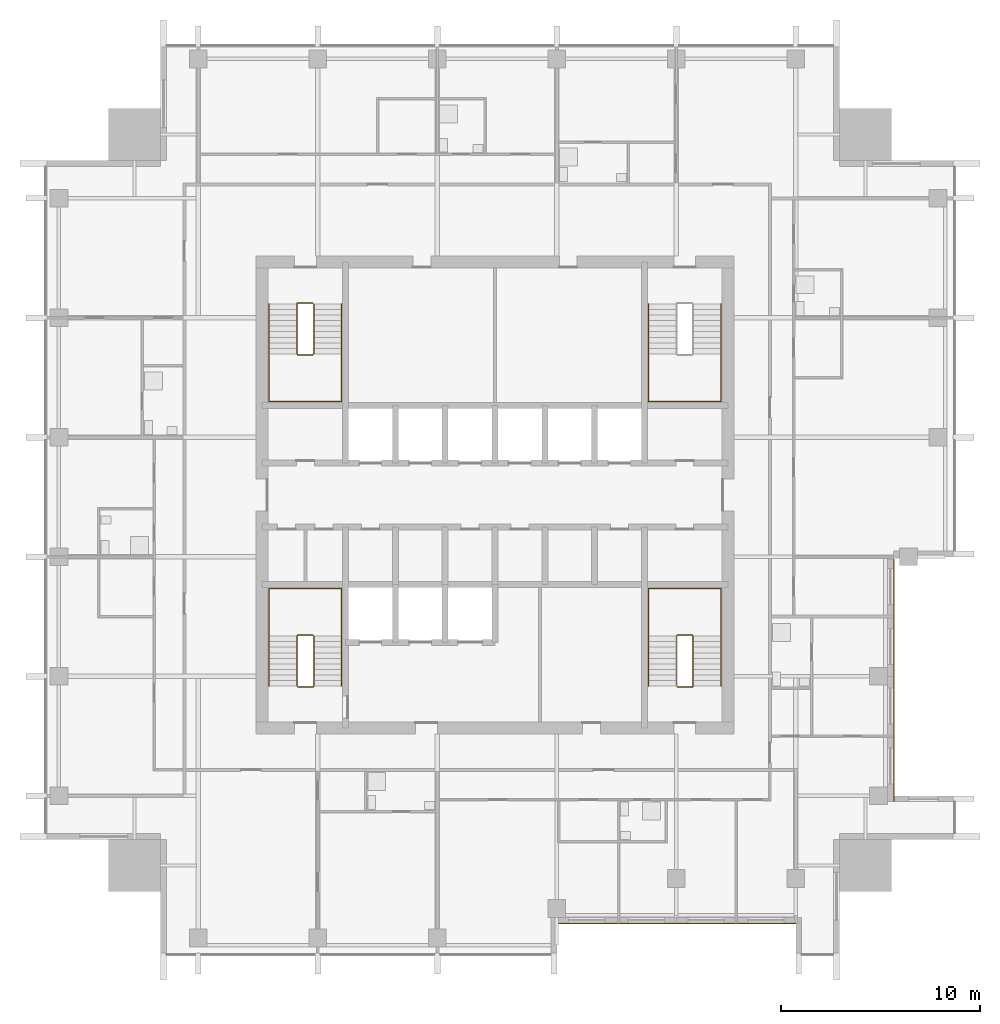
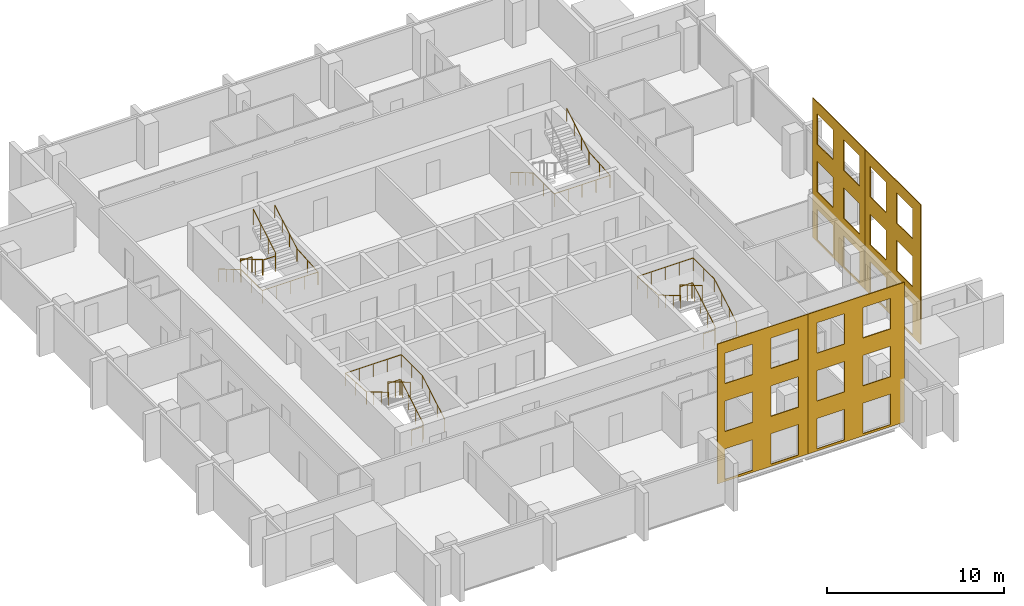
# One storey, part 8 of 10: 7 railings, 4 coverings.
"""IFC4 building model written with IfcOpenShell, lengths in metres."""

import ifcopenshell
import ifcopenshell.guid

model = None  # the IFC model being written
_history = None  # IfcOwnerHistory: only IFC2X3 demands one
_inside = {}  # id of a spatial element -> (the spatial element, [elements in it])
_under = {}  # id of a project, library or spatial element -> (it, [spatial elements below it])
_declared = {}  # id of a project -> (the project, [libraries it declares])
_typed = {}  # id of a type object -> (the type object, [elements of that type])
_made_of = {}  # id of a material, layer set ... -> (it, [elements and type objects made of it])


def new_model(schema):
    """Start an empty IFC model of exactly this schema.

    Asked for "IFC4X3", IfcOpenShell would pick the latest addendum, in which some entities
    have other attributes; the version numbers below select the first issue.
    IFC2X3 requires an IfcOwnerHistory on every rooted entity: one is made here for all.
    """
    global model, _history
    if schema == "IFC4X3":
        model = ifcopenshell.file(schema_version=(4, 3, 0, 0))
    else:
        model = ifcopenshell.file(schema=schema)
    _inside.clear()
    _under.clear()
    _declared.clear()
    _typed.clear()
    _made_of.clear()
    _history = None
    if model.schema == "IFC2X3":
        org = make("IfcOrganization", Name="unknown")
        user = make(
            "IfcPersonAndOrganization",
            ThePerson=make("IfcPerson", FamilyName="unknown"),
            TheOrganization=org,
        )
        app = make(
            "IfcApplication",
            ApplicationDeveloper=org,
            Version="unknown",
            ApplicationFullName="unknown",
            ApplicationIdentifier="unknown",
        )
        _history = make(
            "IfcOwnerHistory",
            OwningUser=user,
            OwningApplication=app,
            ChangeAction="ADDED",
            CreationDate=0,
        )
    return model


def make(cls, **values):
    """One entity of the class cls with the attributes given. An attribute that is None is left unset."""
    return model.create_entity(
        cls, **{name: value for name, value in values.items() if value is not None}
    )


def rooted(cls, **values):
    """An entity with a GlobalId (a new one), such as an element, a storey or a relation."""
    return make(cls, GlobalId=ifcopenshell.guid.new(), OwnerHistory=_history, **values)


def si_unit(unit_type, name, prefix=None):
    """IfcSIUnit, for example si_unit("LENGTHUNIT", "METRE", prefix="MILLI")."""
    return make("IfcSIUnit", UnitType=unit_type, Prefix=prefix, Name=name)


def assignment(units):
    """IfcUnitAssignment: the units of a project."""
    return None if units is None else make("IfcUnitAssignment", Units=units)


def point(xyz):
    """IfcCartesianPoint."""
    return None if xyz is None else make("IfcCartesianPoint", Coordinates=xyz)


def direction(xyz):
    """IfcDirection."""
    return None if xyz is None else make("IfcDirection", DirectionRatios=xyz)


def frame(location, z_axis=None, x_axis=None):
    """IfcAxis2Placement3D, a coordinate frame: its origin and axes. An axis left out is left unset."""
    return make(
        "IfcAxis2Placement3D",
        Location=point(location),
        Axis=direction(z_axis),
        RefDirection=direction(x_axis),
    )


def frame_2d(location, x_axis=None):
    """IfcAxis2Placement2D, a coordinate frame in the plane: its origin and x axis."""
    return make(
        "IfcAxis2Placement2D", Location=point(location), RefDirection=direction(x_axis)
    )


def origin():
    """The frame at (0, 0, 0) with its axes left unset."""
    return frame((0.0, 0.0, 0.0))


def origin_2d():
    """The frame at (0, 0) in the plane with its x axis left unset."""
    return frame_2d((0.0, 0.0))


def place(relative_to, where):
    """IfcLocalPlacement: puts the frame where relative to a parent placement (None: the world)."""
    return make(
        "IfcLocalPlacement", PlacementRelTo=relative_to, RelativePlacement=where
    )


def context(
    kind, dimensions, precision=None, world=None, true_north=None, identifier=None
):
    """IfcGeometricRepresentationContext, for example the 3D "Model" context."""
    return make(
        "IfcGeometricRepresentationContext",
        ContextIdentifier=identifier,
        ContextType=kind,
        CoordinateSpaceDimension=dimensions,
        Precision=precision,
        WorldCoordinateSystem=world,
        TrueNorth=true_north,
    )


def subcontext(parent, identifier, kind, view, scale=None):
    """IfcGeometricRepresentationSubContext, for example "Body" below "Model"."""
    return make(
        "IfcGeometricRepresentationSubContext",
        ContextIdentifier=identifier,
        ContextType=kind,
        ParentContext=parent,
        TargetScale=scale,
        TargetView=view,
    )


def project(units=None, contexts=None):
    """IfcProject with its units and contexts."""
    return rooted(
        "IfcProject",
        Name="project",
        RepresentationContexts=contexts,
        UnitsInContext=assignment(units),
    )


def spatial(cls, under=None, at=None, **own):
    """A site, building, storey or space (cls), placed at a placement, below another one or the project."""
    s = rooted(cls, ObjectPlacement=at, **own)
    if under is not None:
        _under.setdefault(under.id(), (under, []))[1].append(s)
    return s


def polyline(points):
    """IfcPolyline through the points."""
    return make("IfcPolyline", Points=[point(p) for p in points])


def profile(cls, at=None, kind="AREA", **sizes):
    """A parametric profile (cls). Its sizes go by their IFC names, for example OverallWidth=200.0."""
    return make(cls, ProfileType=kind, Position=at, **sizes)


def circle(**sizes):
    """IfcCircleProfileDef."""
    return profile("IfcCircleProfileDef", **sizes)


def outline(outer, holes=None, kind="AREA"):
    """IfcArbitraryClosedProfileDef: a profile drawn as a closed curve; with holes, ...WithVoids."""
    if holes is None:
        return make("IfcArbitraryClosedProfileDef", ProfileType=kind, OuterCurve=outer)
    return make(
        "IfcArbitraryProfileDefWithVoids",
        ProfileType=kind,
        OuterCurve=outer,
        InnerCurves=holes,
    )


def extrude(swept, where, along, depth):
    """IfcExtrudedAreaSolid: the profile swept, set in the frame where, extruded along a direction by depth."""
    return make(
        "IfcExtrudedAreaSolid",
        SweptArea=swept,
        Position=where,
        ExtrudedDirection=direction(along),
        Depth=depth,
    )


def shape(context_of_items, identifier, shape_type, items):
    """IfcShapeRepresentation: the items that make up one representation, for example the "Body"."""
    return make(
        "IfcShapeRepresentation",
        ContextOfItems=context_of_items,
        RepresentationIdentifier=identifier,
        RepresentationType=shape_type,
        Items=items,
    )


def material(Name=None, Category=None):
    """IfcMaterial."""
    return make("IfcMaterial", Name=Name, Category=Category)


def layer(
    of_material, thickness, ventilated=None, Name=None, Category=None, Priority=None
):
    """IfcMaterialLayer: one layer of a wall or slab, of a material (None: an air gap)."""
    return make(
        "IfcMaterialLayer",
        Material=of_material,
        LayerThickness=thickness,
        IsVentilated=ventilated,
        Name=Name,
        Category=Category,
        Priority=Priority,
    )


def layer_set(layers, Name=None):
    """IfcMaterialLayerSet."""
    return make("IfcMaterialLayerSet", MaterialLayers=layers, LayerSetName=Name)


def made_of(thing, what):
    """Note that an element or type object is made of a material, layer set ...; save() writes the relation."""
    if what is not None:
        _made_of.setdefault(what.id(), (what, []))[1].append(thing)
    return thing


def type_object(cls, material=None, **own):
    """A type object (cls), such as IfcWallType, which elements share."""
    return made_of(rooted(cls, **own), material)


def element(
    cls,
    number,
    at=None,
    inside=None,
    cuts=None,
    type_object=None,
    material=None,
    context=None,
    identifier="Body",
    shape_type=None,
    held_by="IfcProductDefinitionShape",
    body=None,
    shapes=None,
    **own,
):
    """One element of the class cls, such as IfcWall. Its Tag is "e" and its number.

    at: its placement. inside: the storey or other place that contains it. cuts: it is an
    opening in that element (IfcRelVoidsElement). A single representation is given by context,
    identifier, shape_type and body (its items); several are given by shapes. held_by: the class
    of the entity that holds the representations. save() writes the other relations.
    """
    e = rooted(cls, Tag="e%d" % number, ObjectPlacement=at, **own)
    if body is not None:
        shapes = [shape(context, identifier, shape_type, body)]
    if shapes is not None:
        e.Representation = make(held_by, Representations=shapes)
    if inside is not None:
        _inside.setdefault(inside.id(), (inside, []))[1].append(e)
    if cuts is not None:
        rooted(
            "IfcRelVoidsElement", RelatingBuildingElement=cuts, RelatedOpeningElement=e
        )
    if type_object is not None:
        _typed.setdefault(type_object.id(), (type_object, []))[1].append(e)
    return made_of(e, material)


def aggregate(whole, parts):
    """IfcRelAggregates: a whole, such as a stair, and the parts it consists of."""
    return rooted("IfcRelAggregates", RelatingObject=whole, RelatedObjects=parts)


def save(model, path):
    """Write the relations noted so far, then the file.

    IfcRelAggregates (storeys below a building ...), IfcRelContainedInSpatialStructure (elements
    in a storey), IfcRelDefinesByType, IfcRelAssociatesMaterial and IfcRelDeclares: one each for
    every whole, place, type object, material and project.
    """
    for whole, parts in _under.values():
        aggregate(whole, parts)
    for where, things in _inside.values():
        rooted(
            "IfcRelContainedInSpatialStructure",
            RelatedElements=things,
            RelatingStructure=where,
        )
    for kind, things in _typed.values():
        rooted("IfcRelDefinesByType", RelatedObjects=things, RelatingType=kind)
    for what, things in _made_of.values():
        rooted("IfcRelAssociatesMaterial", RelatedObjects=things, RelatingMaterial=what)
    for by, libraries in _declared.values():
        rooted("IfcRelDeclares", RelatingContext=by, RelatedDefinitions=libraries)
    model.write(path)


model = new_model("IFC4")

# Units and contexts
model_context = context("Model", 3, precision=1e-05, world=origin(), true_north=direction((0.0, 1.0)))
body_context = subcontext(model_context, "Body", "Model", "MODEL_VIEW")
ifc_project = project(units=[si_unit("LENGTHUNIT", "METRE"), si_unit("AREAUNIT", "SQUARE_METRE"), si_unit("VOLUMEUNIT", "CUBIC_METRE"), si_unit("PLANEANGLEUNIT", "RADIAN"), si_unit("MASSUNIT", "GRAM", prefix="KILO")], contexts=[model_context])

# Site, building, storey
site_placement = place(None, origin())
site = spatial("IfcSite", under=ifc_project, at=site_placement, CompositionType="ELEMENT")
building_placement = place(site_placement, origin())
building = spatial("IfcBuilding", under=site, at=building_placement, Name="Amberfall Residences", CompositionType="ELEMENT")
storey_placement = place(building_placement, frame((0.0, 0.0, 206.800048828125)))
storey = spatial("IfcBuildingStorey", under=building, at=storey_placement, Name="L55", CompositionType="ELEMENT", Elevation=206.800048828125)

# Coverings
ifc_material_1 = material(Name="Pale limestone cladding", Category="masonry")
ifc_layer = layer(ifc_material_1, 0.050048828125)
ifc_layer_set = layer_set([ifc_layer], Name="Limestone fascia 50")
covering_type = type_object("IfcCoveringType", Name="Limestone fascia 50", PredefinedType="CLADDING", material=ifc_layer_set)
covering_1_placement = place(storey_placement, frame((83.60009765625, 24.0, 9.64990234375), z_axis=(0.0, 1.0, 0.0), x_axis=(1.0, 0.0, 0.0)))
element("IfcCovering", 1, at=covering_1_placement, inside=storey, type_object=covering_type, Name="Pale limestone cladding L55-L57 S", PredefinedType="CLADDING", context=body_context, shape_type="SweptSolid", body=[
    extrude(outline(polyline([(0.0, 0.0), (6.2998046875, 0.0), (6.2998046875, 9.64990234375), (0.0, 9.64990234375), (0.0, 0.0)]), holes=[polyline([(0.599853515625, 7.39990234375), (2.39990234375, 7.39990234375), (2.39990234375, 9.5), (0.599853515625, 9.5), (0.599853515625, 7.39990234375)]), polyline([(3.599853515625, 7.39990234375), (5.39990234375, 7.39990234375), (5.39990234375, 9.5), (3.599853515625, 9.5), (3.599853515625, 7.39990234375)]), polyline([(0.599853515625, 4.099853515625), (2.39990234375, 4.099853515625), (2.39990234375, 6.199951171875), (0.599853515625, 6.199951171875), (0.599853515625, 4.099853515625)]), polyline([(3.599853515625, 4.099853515625), (5.39990234375, 4.099853515625), (5.39990234375, 6.199951171875), (3.599853515625, 6.199951171875), (3.599853515625, 4.099853515625)]), polyline([(0.599853515625, 0.800048828125), (2.39990234375, 0.800048828125), (2.39990234375, 2.89990234375), (0.599853515625, 2.89990234375), (0.599853515625, 0.800048828125)]), polyline([(3.599853515625, 0.800048828125), (5.39990234375, 0.800048828125), (5.39990234375, 2.89990234375), (3.599853515625, 2.89990234375), (3.599853515625, 0.800048828125)])]), origin(), (0.0, 0.0, -1.0), 0.050048828125),
])
covering_2_placement = place(storey_placement, frame((94.5, 36.39990234375, 9.64990234375), z_axis=(-1.0, 0.0, 0.0), x_axis=(0.0, 1.0, 0.0)))
element("IfcCovering", 2, at=covering_2_placement, inside=storey, type_object=covering_type, Name="Pale limestone cladding L55-L57 E", PredefinedType="CLADDING", context=body_context, shape_type="SweptSolid", body=[
    extrude(outline(polyline([(0.0, 0.0), (5.900146484375, 0.0), (5.900146484375, 9.64990234375), (0.0, 9.64990234375), (0.0, 0.0)]), holes=[polyline([(0.60009765625, 7.39990234375), (2.400146484375, 7.39990234375), (2.400146484375, 9.5), (0.60009765625, 9.5), (0.60009765625, 7.39990234375)]), polyline([(3.60009765625, 7.39990234375), (5.400146484375, 7.39990234375), (5.400146484375, 9.5), (3.60009765625, 9.5), (3.60009765625, 7.39990234375)]), polyline([(0.60009765625, 4.099853515625), (2.400146484375, 4.099853515625), (2.400146484375, 6.199951171875), (0.60009765625, 6.199951171875), (0.60009765625, 4.099853515625)]), polyline([(3.60009765625, 4.099853515625), (5.400146484375, 4.099853515625), (5.400146484375, 6.199951171875), (3.60009765625, 6.199951171875), (3.60009765625, 4.099853515625)]), polyline([(0.60009765625, 0.800048828125), (2.400146484375, 0.800048828125), (2.400146484375, 2.89990234375), (0.60009765625, 2.89990234375), (0.60009765625, 0.800048828125)]), polyline([(3.60009765625, 0.800048828125), (5.400146484375, 0.800048828125), (5.400146484375, 2.89990234375), (3.60009765625, 2.89990234375), (3.60009765625, 0.800048828125)])]), origin(), (0.0, 0.0, -1.0), 0.050048828125),
])
covering_3_placement = place(storey_placement, frame((77.68994140625, 24.0, 9.64990234375), z_axis=(0.0, 1.0, 0.0), x_axis=(1.0, 0.0, 0.0)))
element("IfcCovering", 3, at=covering_3_placement, inside=storey, type_object=covering_type, Name="Pale limestone cladding L55-L57 S", PredefinedType="CLADDING", context=body_context, shape_type="SweptSolid", body=[
    extrude(outline(polyline([(0.0, 0.0), (5.91015625, 0.0), (5.91015625, 9.64990234375), (0.0, 9.64990234375), (0.0, 0.0)]), holes=[polyline([(0.510009765625, 7.39990234375), (2.31005859375, 7.39990234375), (2.31005859375, 9.5), (0.510009765625, 9.5), (0.510009765625, 7.39990234375)]), polyline([(3.510009765625, 7.39990234375), (5.31005859375, 7.39990234375), (5.31005859375, 9.5), (3.510009765625, 9.5), (3.510009765625, 7.39990234375)]), polyline([(0.510009765625, 4.099853515625), (2.31005859375, 4.099853515625), (2.31005859375, 6.199951171875), (0.510009765625, 6.199951171875), (0.510009765625, 4.099853515625)]), polyline([(3.510009765625, 4.099853515625), (5.31005859375, 4.099853515625), (5.31005859375, 6.199951171875), (3.510009765625, 6.199951171875), (3.510009765625, 4.099853515625)]), polyline([(0.510009765625, 0.800048828125), (2.31005859375, 0.800048828125), (2.31005859375, 2.89990234375), (0.510009765625, 2.89990234375), (0.510009765625, 0.800048828125)]), polyline([(3.510009765625, 0.800048828125), (5.31005859375, 0.800048828125), (5.31005859375, 2.89990234375), (3.510009765625, 2.89990234375), (3.510009765625, 0.800048828125)])]), origin(), (0.0, 0.0, -1.0), 0.050048828125),
])
covering_4_placement = place(storey_placement, frame((94.5, 30.10009765625, 9.64990234375), z_axis=(-1.0, 0.0, 0.0), x_axis=(0.0, 1.0, 0.0)))
element("IfcCovering", 4, at=covering_4_placement, inside=storey, type_object=covering_type, Name="Pale limestone cladding L55-L57 E", PredefinedType="CLADDING", context=body_context, shape_type="SweptSolid", body=[
    extrude(outline(polyline([(0.0, 0.0), (6.2998046875, 0.0), (6.2998046875, 9.64990234375), (0.0, 9.64990234375), (0.0, 0.0)]), holes=[polyline([(0.89990234375, 7.39990234375), (2.699951171875, 7.39990234375), (2.699951171875, 9.5), (0.89990234375, 9.5), (0.89990234375, 7.39990234375)]), polyline([(3.89990234375, 7.39990234375), (5.699951171875, 7.39990234375), (5.699951171875, 9.5), (3.89990234375, 9.5), (3.89990234375, 7.39990234375)]), polyline([(0.89990234375, 4.099853515625), (2.699951171875, 4.099853515625), (2.699951171875, 6.199951171875), (0.89990234375, 6.199951171875), (0.89990234375, 4.099853515625)]), polyline([(3.89990234375, 4.099853515625), (5.699951171875, 4.099853515625), (5.699951171875, 6.199951171875), (3.89990234375, 6.199951171875), (3.89990234375, 4.099853515625)]), polyline([(0.89990234375, 0.800048828125), (2.699951171875, 0.800048828125), (2.699951171875, 2.89990234375), (0.89990234375, 2.89990234375), (0.89990234375, 0.800048828125)]), polyline([(3.89990234375, 0.800048828125), (5.699951171875, 0.800048828125), (5.699951171875, 2.89990234375), (3.89990234375, 2.89990234375), (3.89990234375, 0.800048828125)])]), origin(), (0.0, 0.0, -1.0), 0.050048828125),
])

# Railings
ifc_material_2 = material(Name="Stainless steel 316", Category="steel")
railing_type_1 = type_object("IfcRailingType", Name="Stair guard 1100", PredefinedType="GUARDRAIL", material=ifc_material_2)
railing_1_placement = place(storey_placement, frame((64.60009765625, 35.85009765625, 0.0)))
element("IfcRailing", 5, at=railing_1_placement, inside=storey, type_object=railing_type_1, Name="L55 stair 1 guard", PredefinedType="GUARDRAIL", context=body_context, shape_type="SweptSolid", body=[
    extrude(circle(Radius=0.02392578125, at=origin_2d()), frame((0.0, 0.0, 1.076171875), z_axis=(1.0, 0.0, 0.0), x_axis=(0.0, 1.0, 0.0)), (0.0, 0.0, 1.0), 0.75),
    extrude(circle(Radius=0.02392578125, at=origin_2d()), frame((0.75, 0.0, 1.076171875), z_axis=(0.27755538755, 0.27755538755, 0.919742362667), x_axis=(-0.707106781187, 0.707106781187, 0.0)), (0.0, 0.0, 1.0), 0.179443359375),
    extrude(circle(Radius=0.02392578125, at=origin_2d()), frame((0.7998046875, 0.0498046875, 1.2412109375), z_axis=(0.0, 0.861560626758, 0.507654692109), x_axis=(-1.0, 0.0, 0.0)), (0.0, 0.0, 1.0), 2.925048828125),
    extrude(circle(Radius=0.02392578125, at=origin_2d()), frame((0.7998046875, 2.56982421875, 2.72607421875), z_axis=(-0.705375805398, 0.708833529934, 0.0), x_axis=(-0.708833529934, -0.705375805398, 0.0)), (0.0, 0.0, 1.0), 0.070556640625),
    extrude(circle(Radius=0.02392578125, at=origin_2d()), frame((0.75, 2.619873046875, 2.72607421875), z_axis=(-1.0, 0.0, 0.0), x_axis=(0.0, -1.0, 0.0)), (0.0, 0.0, 1.0), 0.75),
    extrude(circle(Radius=0.02392578125, at=origin_2d()), frame((0.0, 2.619873046875, 2.72607421875), z_axis=(-0.278705021027, -0.278705021027, 0.919046801044), x_axis=(0.707106781187, -0.707106781187, 0.0)), (0.0, 0.0, 1.0), 0.1796875),
    extrude(circle(Radius=0.02392578125, at=origin_2d()), frame((-0.050048828125, 2.56982421875, 2.89111328125), z_axis=(0.0, -0.86152411907, 0.507716645641), x_axis=(1.0, 0.0, 0.0)), (0.0, 0.0, 1.0), 2.925048828125),
    extrude(circle(Radius=0.02099609375, at=origin_2d()), origin(), (0.0, 0.0, 1.0), 1.052001953125),
    extrude(circle(Radius=0.02099609375, at=origin_2d()), frame((0.75, 0.0, 0.0)), (0.0, 0.0, 1.0), 1.052001953125),
    extrude(circle(Radius=0.02099609375, at=origin_2d()), frame((0.7998046875, 0.0498046875, 0.1650390625)), (0.0, 0.0, 1.0), 1.052001953125),
    extrude(circle(Radius=0.02099609375, at=origin_2d()), frame((0.7998046875, 0.889892578125, 0.659912109375)), (0.0, 0.0, 1.0), 1.052001953125),
    extrude(circle(Radius=0.02099609375, at=origin_2d()), frame((0.7998046875, 1.729736328125, 1.155029296875)), (0.0, 0.0, 1.0), 1.052001953125),
    extrude(circle(Radius=0.02099609375, at=origin_2d()), frame((0.7998046875, 2.56982421875, 1.64990234375)), (0.0, 0.0, 1.0), 1.052001953125),
    extrude(circle(Radius=0.02099609375, at=origin_2d()), frame((0.75, 2.619873046875, 1.64990234375)), (0.0, 0.0, 1.0), 1.052001953125),
    extrude(circle(Radius=0.02099609375, at=origin_2d()), frame((0.0, 2.619873046875, 1.64990234375)), (0.0, 0.0, 1.0), 1.052001953125),
    extrude(circle(Radius=0.02099609375, at=origin_2d()), frame((-0.050048828125, 2.56982421875, 1.81494140625)), (0.0, 0.0, 1.0), 1.052001953125),
    extrude(circle(Radius=0.02099609375, at=origin_2d()), frame((-0.050048828125, 1.729736328125, 2.31005859375)), (0.0, 0.0, 1.0), 1.052001953125),
    extrude(circle(Radius=0.02099609375, at=origin_2d()), frame((-0.050048828125, 0.889892578125, 2.804931640625)), (0.0, 0.0, 1.0), 1.052001953125),
    extrude(circle(Radius=0.02099609375, at=origin_2d()), frame((-0.050048828125, 0.0498046875, 3.300048828125)), (0.0, 0.0, 1.0), 1.052001953125),
])
railing_2_placement = place(storey_placement, frame((83.64990234375, 35.85009765625, 0.0)))
element("IfcRailing", 6, at=railing_2_placement, inside=storey, type_object=railing_type_1, Name="L55 stair 2 guard", PredefinedType="GUARDRAIL", context=body_context, shape_type="SweptSolid", body=[
    extrude(circle(Radius=0.02392578125, at=origin_2d()), frame((0.0, 0.0, 1.076171875), z_axis=(1.0, 0.0, 0.0), x_axis=(0.0, 1.0, 0.0)), (0.0, 0.0, 1.0), 0.75),
    extrude(circle(Radius=0.02392578125, at=origin_2d()), frame((0.75, 0.0, 1.076171875), z_axis=(0.278810427259, 0.277450376394, 0.919394384522), x_axis=(-0.705375805398, 0.708833529934, 0.0)), (0.0, 0.0, 1.0), 0.179443359375),
    extrude(circle(Radius=0.02392578125, at=origin_2d()), frame((0.800048828125, 0.0498046875, 1.2412109375), z_axis=(0.0, 0.861560626758, 0.507654692109), x_axis=(-1.0, 0.0, 0.0)), (0.0, 0.0, 1.0), 2.925048828125),
    extrude(circle(Radius=0.02392578125, at=origin_2d()), frame((0.800048828125, 2.56982421875, 2.72607421875), z_axis=(-0.707106781187, 0.707106781187, 0.0), x_axis=(-0.707106781187, -0.707106781187, 0.0)), (0.0, 0.0, 1.0), 0.07080078125),
    extrude(circle(Radius=0.02392578125, at=origin_2d()), frame((0.75, 2.619873046875, 2.72607421875), z_axis=(-1.0, 0.0, 0.0), x_axis=(0.0, -1.0, 0.0)), (0.0, 0.0, 1.0), 0.75),
    extrude(circle(Radius=0.02392578125, at=origin_2d()), frame((0.0, 2.619873046875, 2.72607421875), z_axis=(-0.277450376394, -0.278810427259, 0.919394384522), x_axis=(0.708833529934, -0.705375805398, 0.0)), (0.0, 0.0, 1.0), 0.179443359375),
    extrude(circle(Radius=0.02392578125, at=origin_2d()), frame((-0.0498046875, 2.56982421875, 2.89111328125), z_axis=(0.0, -0.86152411907, 0.507716645641), x_axis=(1.0, 0.0, 0.0)), (0.0, 0.0, 1.0), 2.925048828125),
    extrude(circle(Radius=0.02099609375, at=origin_2d()), origin(), (0.0, 0.0, 1.0), 1.052001953125),
    extrude(circle(Radius=0.02099609375, at=origin_2d()), frame((0.75, 0.0, 0.0)), (0.0, 0.0, 1.0), 1.052001953125),
    extrude(circle(Radius=0.02099609375, at=origin_2d()), frame((0.800048828125, 0.0498046875, 0.1650390625)), (0.0, 0.0, 1.0), 1.052001953125),
    extrude(circle(Radius=0.02099609375, at=origin_2d()), frame((0.800048828125, 0.889892578125, 0.659912109375)), (0.0, 0.0, 1.0), 1.052001953125),
    extrude(circle(Radius=0.02099609375, at=origin_2d()), frame((0.800048828125, 1.729736328125, 1.155029296875)), (0.0, 0.0, 1.0), 1.052001953125),
    extrude(circle(Radius=0.02099609375, at=origin_2d()), frame((0.800048828125, 2.56982421875, 1.64990234375)), (0.0, 0.0, 1.0), 1.052001953125),
    extrude(circle(Radius=0.02099609375, at=origin_2d()), frame((0.75, 2.619873046875, 1.64990234375)), (0.0, 0.0, 1.0), 1.052001953125),
    extrude(circle(Radius=0.02099609375, at=origin_2d()), frame((0.0, 2.619873046875, 1.64990234375)), (0.0, 0.0, 1.0), 1.052001953125),
    extrude(circle(Radius=0.02099609375, at=origin_2d()), frame((-0.0498046875, 2.56982421875, 1.81494140625)), (0.0, 0.0, 1.0), 1.052001953125),
    extrude(circle(Radius=0.02099609375, at=origin_2d()), frame((-0.0498046875, 1.729736328125, 2.31005859375)), (0.0, 0.0, 1.0), 1.052001953125),
    extrude(circle(Radius=0.02099609375, at=origin_2d()), frame((-0.0498046875, 0.889892578125, 2.804931640625)), (0.0, 0.0, 1.0), 1.052001953125),
    extrude(circle(Radius=0.02099609375, at=origin_2d()), frame((-0.0498046875, 0.0498046875, 3.300048828125)), (0.0, 0.0, 1.0), 1.052001953125),
])
railing_3_placement = place(storey_placement, frame((65.35009765625, 55.14990234375, 0.0)))
element("IfcRailing", 7, at=railing_3_placement, inside=storey, type_object=railing_type_1, Name="L55 stair 4 guard", PredefinedType="GUARDRAIL", context=body_context, shape_type="SweptSolid", body=[
    extrude(circle(Radius=0.02392578125, at=origin_2d()), frame((0.0, 0.0, 1.076171875), z_axis=(-1.0, 0.0, 0.0), x_axis=(0.0, -1.0, 0.0)), (0.0, 0.0, 1.0), 0.75),
    extrude(circle(Radius=0.02392578125, at=origin_2d()), frame((-0.75, 0.0, 1.076171875), z_axis=(-0.278810427259, -0.277450376394, 0.919394384522), x_axis=(0.705375805398, -0.708833529934, 0.0)), (0.0, 0.0, 1.0), 0.179443359375),
    extrude(circle(Radius=0.02392578125, at=origin_2d()), frame((-0.800048828125, -0.0498046875, 1.2412109375), z_axis=(0.0, -0.861560626758, 0.507654692109), x_axis=(1.0, 0.0, 0.0)), (0.0, 0.0, 1.0), 2.925048828125),
    extrude(circle(Radius=0.02392578125, at=origin_2d()), frame((-0.800048828125, -2.56982421875, 2.72607421875), z_axis=(0.707106781187, -0.707106781187, 0.0), x_axis=(0.707106781187, 0.707106781187, 0.0)), (0.0, 0.0, 1.0), 0.07080078125),
    extrude(circle(Radius=0.02392578125, at=origin_2d()), frame((-0.75, -2.619873046875, 2.72607421875), z_axis=(1.0, 0.0, 0.0), x_axis=(0.0, 1.0, 0.0)), (0.0, 0.0, 1.0), 0.75),
    extrude(circle(Radius=0.02392578125, at=origin_2d()), frame((0.0, -2.619873046875, 2.72607421875), z_axis=(0.277450376394, 0.278810427259, 0.919394384522), x_axis=(-0.708833529934, 0.705375805398, 0.0)), (0.0, 0.0, 1.0), 0.179443359375),
    extrude(circle(Radius=0.02392578125, at=origin_2d()), frame((0.0498046875, -2.56982421875, 2.89111328125), z_axis=(0.0, 0.86152411907, 0.507716645641), x_axis=(-1.0, 0.0, 0.0)), (0.0, 0.0, 1.0), 2.925048828125),
    extrude(circle(Radius=0.02099609375, at=origin_2d()), origin(), (0.0, 0.0, 1.0), 1.052001953125),
    extrude(circle(Radius=0.02099609375, at=origin_2d()), frame((-0.75, 0.0, 0.0)), (0.0, 0.0, 1.0), 1.052001953125),
    extrude(circle(Radius=0.02099609375, at=origin_2d()), frame((-0.800048828125, -0.0498046875, 0.1650390625)), (0.0, 0.0, 1.0), 1.052001953125),
    extrude(circle(Radius=0.02099609375, at=origin_2d()), frame((-0.800048828125, -0.889892578125, 0.659912109375)), (0.0, 0.0, 1.0), 1.052001953125),
    extrude(circle(Radius=0.02099609375, at=origin_2d()), frame((-0.800048828125, -1.729736328125, 1.155029296875)), (0.0, 0.0, 1.0), 1.052001953125),
    extrude(circle(Radius=0.02099609375, at=origin_2d()), frame((-0.800048828125, -2.56982421875, 1.64990234375)), (0.0, 0.0, 1.0), 1.052001953125),
    extrude(circle(Radius=0.02099609375, at=origin_2d()), frame((-0.75, -2.619873046875, 1.64990234375)), (0.0, 0.0, 1.0), 1.052001953125),
    extrude(circle(Radius=0.02099609375, at=origin_2d()), frame((0.0, -2.619873046875, 1.64990234375)), (0.0, 0.0, 1.0), 1.052001953125),
    extrude(circle(Radius=0.02099609375, at=origin_2d()), frame((0.0498046875, -2.56982421875, 1.81494140625)), (0.0, 0.0, 1.0), 1.052001953125),
    extrude(circle(Radius=0.02099609375, at=origin_2d()), frame((0.0498046875, -1.729736328125, 2.31005859375)), (0.0, 0.0, 1.0), 1.052001953125),
    extrude(circle(Radius=0.02099609375, at=origin_2d()), frame((0.0498046875, -0.889892578125, 2.804931640625)), (0.0, 0.0, 1.0), 1.052001953125),
    extrude(circle(Radius=0.02099609375, at=origin_2d()), frame((0.0498046875, -0.0498046875, 3.300048828125)), (0.0, 0.0, 1.0), 1.052001953125),
])
railing_type_2 = type_object("IfcRailingType", Name="Stair handrail 900", PredefinedType="HANDRAIL", material=ifc_material_2)
railing_4_placement = place(storey_placement, frame((66.800048828125, 35.89990234375, 0.1650390625)))
element("IfcRailing", 8, at=railing_4_placement, inside=storey, type_object=railing_type_2, Name="L55 stair 1 handrail", PredefinedType="HANDRAIL", context=body_context, shape_type="SweptSolid", body=[
    extrude(circle(Radius=0.02392578125, at=origin_2d()), frame((0.0, 0.0, 0.8759765625), z_axis=(0.0, 0.861560626758, 0.507654692109), x_axis=(-1.0, 0.0, 0.0)), (0.0, 0.0, 1.0), 2.925048828125),
    extrude(circle(Radius=0.02392578125, at=origin_2d()), frame((0.0, 2.52001953125, 2.36083984375), z_axis=(0.0, 1.0, 0.0), x_axis=(-1.0, 0.0, 0.0)), (0.0, 0.0, 1.0), 2.380126953125),
    extrude(circle(Radius=0.02392578125, at=origin_2d()), frame((0.0, 4.900146484375, 2.36083984375), z_axis=(-1.0, 0.0, 0.0), x_axis=(0.0, -1.0, 0.0)), (0.0, 0.0, 1.0), 3.650146484375),
    extrude(circle(Radius=0.02392578125, at=origin_2d()), frame((-3.650146484375, 4.900146484375, 2.36083984375), z_axis=(0.0, -0.997604585917, 0.069174346095), x_axis=(1.0, 0.0, 0.0)), (0.0, 0.0, 1.0), 2.3857421875),
    extrude(circle(Radius=0.02392578125, at=origin_2d()), frame((-3.650146484375, 2.52001953125, 2.52587890625), z_axis=(0.0, -0.86152411907, 0.507716645641), x_axis=(1.0, 0.0, 0.0)), (0.0, 0.0, 1.0), 2.925048828125),
    extrude(circle(Radius=0.02099609375, at=origin_2d()), origin(), (0.0, 0.0, 1.0), 0.851806640625),
    extrude(circle(Radius=0.02099609375, at=origin_2d()), frame((0.0, 0.840087890625, 0.494873046875)), (0.0, 0.0, 1.0), 0.851806640625),
    extrude(circle(Radius=0.02099609375, at=origin_2d()), frame((0.0, 1.679931640625, 0.989990234375)), (0.0, 0.0, 1.0), 0.851806640625),
    extrude(circle(Radius=0.02099609375, at=origin_2d()), frame((0.0, 2.52001953125, 1.48486328125)), (0.0, 0.0, 1.0), 0.851806640625),
    extrude(circle(Radius=0.02099609375, at=origin_2d()), frame((0.0, 3.7099609375, 1.48486328125)), (0.0, 0.0, 1.0), 0.851806640625),
    extrude(circle(Radius=0.02099609375, at=origin_2d()), frame((0.0, 4.900146484375, 1.48486328125)), (0.0, 0.0, 1.0), 0.851806640625),
    extrude(circle(Radius=0.02099609375, at=origin_2d()), frame((-0.91259765625, 4.900146484375, 1.48486328125)), (0.0, 0.0, 1.0), 0.851806640625),
    extrude(circle(Radius=0.02099609375, at=origin_2d()), frame((-1.8251953125, 4.900146484375, 1.48486328125)), (0.0, 0.0, 1.0), 0.851806640625),
    extrude(circle(Radius=0.02099609375, at=origin_2d()), frame((-2.737548828125, 4.900146484375, 1.48486328125)), (0.0, 0.0, 1.0), 0.851806640625),
    extrude(circle(Radius=0.02099609375, at=origin_2d()), frame((-3.650146484375, 4.900146484375, 1.48486328125)), (0.0, 0.0, 1.0), 0.851806640625),
    extrude(circle(Radius=0.02099609375, at=origin_2d()), frame((-3.650146484375, 3.7099609375, 1.5673828125)), (0.0, 0.0, 1.0), 0.851806640625),
    extrude(circle(Radius=0.02099609375, at=origin_2d()), frame((-3.650146484375, 2.52001953125, 1.64990234375)), (0.0, 0.0, 1.0), 0.851806640625),
    extrude(circle(Radius=0.02099609375, at=origin_2d()), frame((-3.650146484375, 1.679931640625, 2.14501953125)), (0.0, 0.0, 1.0), 0.851806640625),
    extrude(circle(Radius=0.02099609375, at=origin_2d()), frame((-3.650146484375, 0.840087890625, 2.639892578125)), (0.0, 0.0, 1.0), 0.851806640625),
    extrude(circle(Radius=0.02099609375, at=origin_2d()), frame((-3.650146484375, 0.0, 3.135009765625)), (0.0, 0.0, 1.0), 0.851806640625),
])
railing_5_placement = place(storey_placement, frame((85.85009765625, 35.89990234375, 0.1650390625)))
element("IfcRailing", 9, at=railing_5_placement, inside=storey, type_object=railing_type_2, Name="L55 stair 2 handrail", PredefinedType="HANDRAIL", context=body_context, shape_type="SweptSolid", body=[
    extrude(circle(Radius=0.02392578125, at=origin_2d()), frame((0.0, 0.0, 0.8759765625), z_axis=(0.0, 0.861560626758, 0.507654692109), x_axis=(-1.0, 0.0, 0.0)), (0.0, 0.0, 1.0), 2.925048828125),
    extrude(circle(Radius=0.02392578125, at=origin_2d()), frame((0.0, 2.52001953125, 2.36083984375), z_axis=(0.0, 1.0, 0.0), x_axis=(-1.0, 0.0, 0.0)), (0.0, 0.0, 1.0), 2.380126953125),
    extrude(circle(Radius=0.02392578125, at=origin_2d()), frame((0.0, 4.900146484375, 2.36083984375), z_axis=(-1.0, 0.0, 0.0), x_axis=(0.0, -1.0, 0.0)), (0.0, 0.0, 1.0), 3.650146484375),
    extrude(circle(Radius=0.02392578125, at=origin_2d()), frame((-3.650146484375, 4.900146484375, 2.36083984375), z_axis=(0.0, -0.997604585917, 0.069174346095), x_axis=(1.0, 0.0, 0.0)), (0.0, 0.0, 1.0), 2.3857421875),
    extrude(circle(Radius=0.02392578125, at=origin_2d()), frame((-3.650146484375, 2.52001953125, 2.52587890625), z_axis=(0.0, -0.86152411907, 0.507716645641), x_axis=(1.0, 0.0, 0.0)), (0.0, 0.0, 1.0), 2.925048828125),
    extrude(circle(Radius=0.02099609375, at=origin_2d()), origin(), (0.0, 0.0, 1.0), 0.851806640625),
    extrude(circle(Radius=0.02099609375, at=origin_2d()), frame((0.0, 0.840087890625, 0.494873046875)), (0.0, 0.0, 1.0), 0.851806640625),
    extrude(circle(Radius=0.02099609375, at=origin_2d()), frame((0.0, 1.679931640625, 0.989990234375)), (0.0, 0.0, 1.0), 0.851806640625),
    extrude(circle(Radius=0.02099609375, at=origin_2d()), frame((0.0, 2.52001953125, 1.48486328125)), (0.0, 0.0, 1.0), 0.851806640625),
    extrude(circle(Radius=0.02099609375, at=origin_2d()), frame((0.0, 3.7099609375, 1.48486328125)), (0.0, 0.0, 1.0), 0.851806640625),
    extrude(circle(Radius=0.02099609375, at=origin_2d()), frame((0.0, 4.900146484375, 1.48486328125)), (0.0, 0.0, 1.0), 0.851806640625),
    extrude(circle(Radius=0.02099609375, at=origin_2d()), frame((-0.91259765625, 4.900146484375, 1.48486328125)), (0.0, 0.0, 1.0), 0.851806640625),
    extrude(circle(Radius=0.02099609375, at=origin_2d()), frame((-1.8251953125, 4.900146484375, 1.48486328125)), (0.0, 0.0, 1.0), 0.851806640625),
    extrude(circle(Radius=0.02099609375, at=origin_2d()), frame((-2.737548828125, 4.900146484375, 1.48486328125)), (0.0, 0.0, 1.0), 0.851806640625),
    extrude(circle(Radius=0.02099609375, at=origin_2d()), frame((-3.650146484375, 4.900146484375, 1.48486328125)), (0.0, 0.0, 1.0), 0.851806640625),
    extrude(circle(Radius=0.02099609375, at=origin_2d()), frame((-3.650146484375, 3.7099609375, 1.5673828125)), (0.0, 0.0, 1.0), 0.851806640625),
    extrude(circle(Radius=0.02099609375, at=origin_2d()), frame((-3.650146484375, 2.52001953125, 1.64990234375)), (0.0, 0.0, 1.0), 0.851806640625),
    extrude(circle(Radius=0.02099609375, at=origin_2d()), frame((-3.650146484375, 1.679931640625, 2.14501953125)), (0.0, 0.0, 1.0), 0.851806640625),
    extrude(circle(Radius=0.02099609375, at=origin_2d()), frame((-3.650146484375, 0.840087890625, 2.639892578125)), (0.0, 0.0, 1.0), 0.851806640625),
    extrude(circle(Radius=0.02099609375, at=origin_2d()), frame((-3.650146484375, 0.0, 3.135009765625)), (0.0, 0.0, 1.0), 0.851806640625),
])
railing_6_placement = place(storey_placement, frame((82.199951171875, 55.10009765625, 0.1650390625)))
element("IfcRailing", 10, at=railing_6_placement, inside=storey, type_object=railing_type_2, Name="L55 stair 3 handrail", PredefinedType="HANDRAIL", context=body_context, shape_type="SweptSolid", body=[
    extrude(circle(Radius=0.02392578125, at=origin_2d()), frame((0.0, 0.0, 0.8759765625), z_axis=(0.0, -0.861560626758, 0.507654692109), x_axis=(1.0, 0.0, 0.0)), (0.0, 0.0, 1.0), 2.925048828125),
    extrude(circle(Radius=0.02392578125, at=origin_2d()), frame((0.0, -2.52001953125, 2.36083984375), z_axis=(0.0, -1.0, 0.0), x_axis=(1.0, 0.0, 0.0)), (0.0, 0.0, 1.0), 2.380126953125),
    extrude(circle(Radius=0.02392578125, at=origin_2d()), frame((0.0, -4.900146484375, 2.36083984375), z_axis=(1.0, 0.0, 0.0), x_axis=(0.0, 1.0, 0.0)), (0.0, 0.0, 1.0), 3.650146484375),
    extrude(circle(Radius=0.02392578125, at=origin_2d()), frame((3.650146484375, -4.900146484375, 2.36083984375), z_axis=(0.0, 0.997604585917, 0.069174346095), x_axis=(-1.0, 0.0, 0.0)), (0.0, 0.0, 1.0), 2.3857421875),
    extrude(circle(Radius=0.02392578125, at=origin_2d()), frame((3.650146484375, -2.52001953125, 2.52587890625), z_axis=(0.0, 0.86152411907, 0.507716645641), x_axis=(-1.0, 0.0, 0.0)), (0.0, 0.0, 1.0), 2.925048828125),
    extrude(circle(Radius=0.02099609375, at=origin_2d()), origin(), (0.0, 0.0, 1.0), 0.851806640625),
    extrude(circle(Radius=0.02099609375, at=origin_2d()), frame((0.0, -0.840087890625, 0.494873046875)), (0.0, 0.0, 1.0), 0.851806640625),
    extrude(circle(Radius=0.02099609375, at=origin_2d()), frame((0.0, -1.679931640625, 0.989990234375)), (0.0, 0.0, 1.0), 0.851806640625),
    extrude(circle(Radius=0.02099609375, at=origin_2d()), frame((0.0, -2.52001953125, 1.48486328125)), (0.0, 0.0, 1.0), 0.851806640625),
    extrude(circle(Radius=0.02099609375, at=origin_2d()), frame((0.0, -3.7099609375, 1.48486328125)), (0.0, 0.0, 1.0), 0.851806640625),
    extrude(circle(Radius=0.02099609375, at=origin_2d()), frame((0.0, -4.900146484375, 1.48486328125)), (0.0, 0.0, 1.0), 0.851806640625),
    extrude(circle(Radius=0.02099609375, at=origin_2d()), frame((0.91259765625, -4.900146484375, 1.48486328125)), (0.0, 0.0, 1.0), 0.851806640625),
    extrude(circle(Radius=0.02099609375, at=origin_2d()), frame((1.8251953125, -4.900146484375, 1.48486328125)), (0.0, 0.0, 1.0), 0.851806640625),
    extrude(circle(Radius=0.02099609375, at=origin_2d()), frame((2.737548828125, -4.900146484375, 1.48486328125)), (0.0, 0.0, 1.0), 0.851806640625),
    extrude(circle(Radius=0.02099609375, at=origin_2d()), frame((3.650146484375, -4.900146484375, 1.48486328125)), (0.0, 0.0, 1.0), 0.851806640625),
    extrude(circle(Radius=0.02099609375, at=origin_2d()), frame((3.650146484375, -3.7099609375, 1.5673828125)), (0.0, 0.0, 1.0), 0.851806640625),
    extrude(circle(Radius=0.02099609375, at=origin_2d()), frame((3.650146484375, -2.52001953125, 1.64990234375)), (0.0, 0.0, 1.0), 0.851806640625),
    extrude(circle(Radius=0.02099609375, at=origin_2d()), frame((3.650146484375, -1.679931640625, 2.14501953125)), (0.0, 0.0, 1.0), 0.851806640625),
    extrude(circle(Radius=0.02099609375, at=origin_2d()), frame((3.650146484375, -0.840087890625, 2.639892578125)), (0.0, 0.0, 1.0), 0.851806640625),
    extrude(circle(Radius=0.02099609375, at=origin_2d()), frame((3.650146484375, 0.0, 3.135009765625)), (0.0, 0.0, 1.0), 0.851806640625),
])
railing_7_placement = place(storey_placement, frame((63.14990234375, 55.10009765625, 0.1650390625)))
element("IfcRailing", 11, at=railing_7_placement, inside=storey, type_object=railing_type_2, Name="L55 stair 4 handrail", PredefinedType="HANDRAIL", context=body_context, shape_type="SweptSolid", body=[
    extrude(circle(Radius=0.02392578125, at=origin_2d()), frame((0.0, 0.0, 0.8759765625), z_axis=(0.0, -0.861560626758, 0.507654692109), x_axis=(1.0, 0.0, 0.0)), (0.0, 0.0, 1.0), 2.925048828125),
    extrude(circle(Radius=0.02392578125, at=origin_2d()), frame((0.0, -2.52001953125, 2.36083984375), z_axis=(0.0, -1.0, 0.0), x_axis=(1.0, 0.0, 0.0)), (0.0, 0.0, 1.0), 2.380126953125),
    extrude(circle(Radius=0.02392578125, at=origin_2d()), frame((0.0, -4.900146484375, 2.36083984375), z_axis=(1.0, 0.0, 0.0), x_axis=(0.0, 1.0, 0.0)), (0.0, 0.0, 1.0), 3.650146484375),
    extrude(circle(Radius=0.02392578125, at=origin_2d()), frame((3.650146484375, -4.900146484375, 2.36083984375), z_axis=(0.0, 0.997604585917, 0.069174346095), x_axis=(-1.0, 0.0, 0.0)), (0.0, 0.0, 1.0), 2.3857421875),
    extrude(circle(Radius=0.02392578125, at=origin_2d()), frame((3.650146484375, -2.52001953125, 2.52587890625), z_axis=(0.0, 0.86152411907, 0.507716645641), x_axis=(-1.0, 0.0, 0.0)), (0.0, 0.0, 1.0), 2.925048828125),
    extrude(circle(Radius=0.02099609375, at=origin_2d()), origin(), (0.0, 0.0, 1.0), 0.851806640625),
    extrude(circle(Radius=0.02099609375, at=origin_2d()), frame((0.0, -0.840087890625, 0.494873046875)), (0.0, 0.0, 1.0), 0.851806640625),
    extrude(circle(Radius=0.02099609375, at=origin_2d()), frame((0.0, -1.679931640625, 0.989990234375)), (0.0, 0.0, 1.0), 0.851806640625),
    extrude(circle(Radius=0.02099609375, at=origin_2d()), frame((0.0, -2.52001953125, 1.48486328125)), (0.0, 0.0, 1.0), 0.851806640625),
    extrude(circle(Radius=0.02099609375, at=origin_2d()), frame((0.0, -3.7099609375, 1.48486328125)), (0.0, 0.0, 1.0), 0.851806640625),
    extrude(circle(Radius=0.02099609375, at=origin_2d()), frame((0.0, -4.900146484375, 1.48486328125)), (0.0, 0.0, 1.0), 0.851806640625),
    extrude(circle(Radius=0.02099609375, at=origin_2d()), frame((0.91259765625, -4.900146484375, 1.48486328125)), (0.0, 0.0, 1.0), 0.851806640625),
    extrude(circle(Radius=0.02099609375, at=origin_2d()), frame((1.8251953125, -4.900146484375, 1.48486328125)), (0.0, 0.0, 1.0), 0.851806640625),
    extrude(circle(Radius=0.02099609375, at=origin_2d()), frame((2.737548828125, -4.900146484375, 1.48486328125)), (0.0, 0.0, 1.0), 0.851806640625),
    extrude(circle(Radius=0.02099609375, at=origin_2d()), frame((3.650146484375, -4.900146484375, 1.48486328125)), (0.0, 0.0, 1.0), 0.851806640625),
    extrude(circle(Radius=0.02099609375, at=origin_2d()), frame((3.650146484375, -3.7099609375, 1.5673828125)), (0.0, 0.0, 1.0), 0.851806640625),
    extrude(circle(Radius=0.02099609375, at=origin_2d()), frame((3.650146484375, -2.52001953125, 1.64990234375)), (0.0, 0.0, 1.0), 0.851806640625),
    extrude(circle(Radius=0.02099609375, at=origin_2d()), frame((3.650146484375, -1.679931640625, 2.14501953125)), (0.0, 0.0, 1.0), 0.851806640625),
    extrude(circle(Radius=0.02099609375, at=origin_2d()), frame((3.650146484375, -0.840087890625, 2.639892578125)), (0.0, 0.0, 1.0), 0.851806640625),
    extrude(circle(Radius=0.02099609375, at=origin_2d()), frame((3.650146484375, 0.0, 3.135009765625)), (0.0, 0.0, 1.0), 0.851806640625),
])

save(model, "model.ifc")
